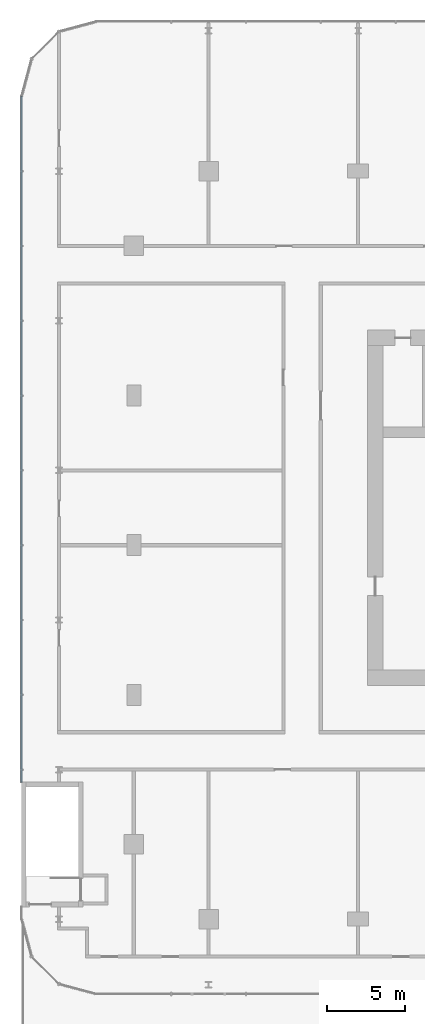
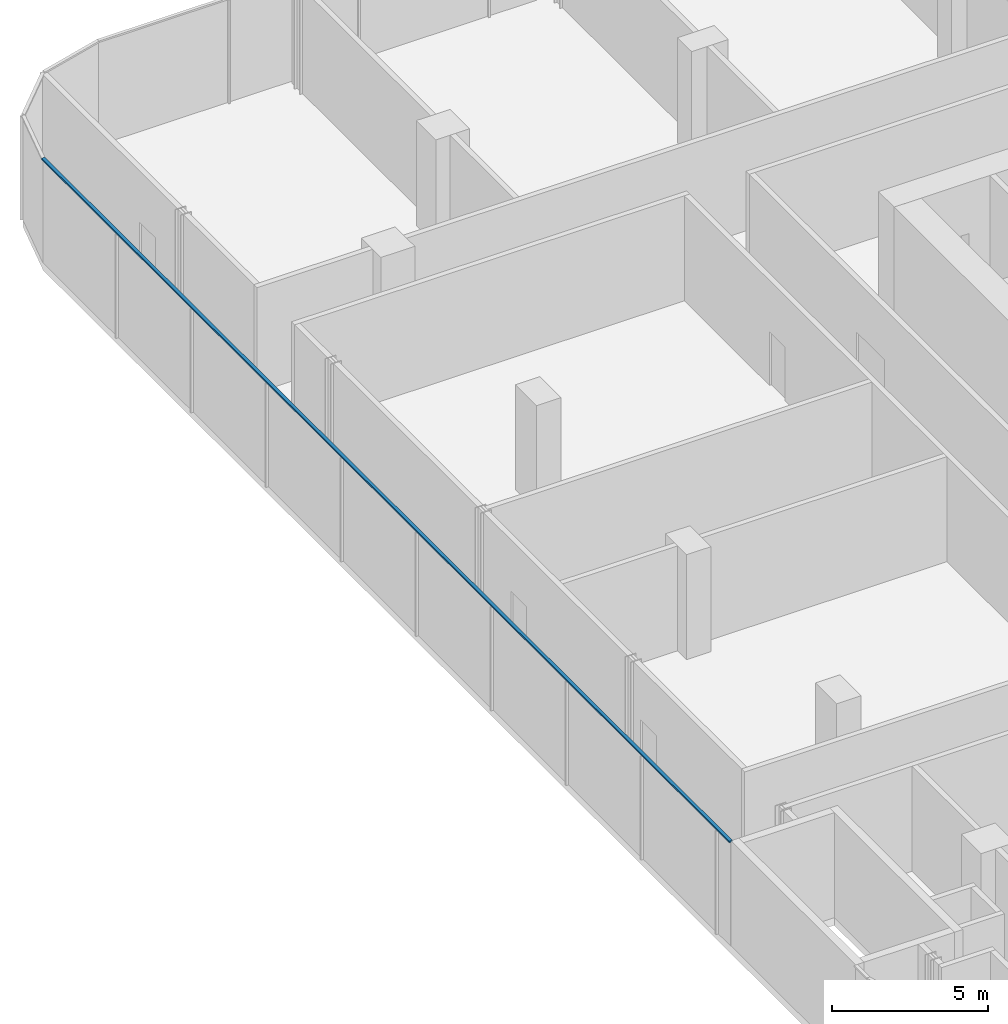
# One storey, part 10 of 32: 1 member, 1 element without a shape of its own.
"""IFC4 building model written with IfcOpenShell, lengths in metres."""

import ifcopenshell
import ifcopenshell.guid

model = None  # the IFC model being written
_history = None  # IfcOwnerHistory: only IFC2X3 demands one
_inside = {}  # id of a spatial element -> (the spatial element, [elements in it])
_under = {}  # id of a project, library or spatial element -> (it, [spatial elements below it])
_declared = {}  # id of a project -> (the project, [libraries it declares])
_typed = {}  # id of a type object -> (the type object, [elements of that type])
_made_of = {}  # id of a material, layer set ... -> (it, [elements and type objects made of it])


def new_model(schema):
    """Start an empty IFC model of exactly this schema.

    Asked for "IFC4X3", IfcOpenShell would pick the latest addendum, in which some entities
    have other attributes; the version numbers below select the first issue.
    IFC2X3 requires an IfcOwnerHistory on every rooted entity: one is made here for all.
    """
    global model, _history
    if schema == "IFC4X3":
        model = ifcopenshell.file(schema_version=(4, 3, 0, 0))
    else:
        model = ifcopenshell.file(schema=schema)
    _inside.clear()
    _under.clear()
    _declared.clear()
    _typed.clear()
    _made_of.clear()
    _history = None
    if model.schema == "IFC2X3":
        org = make("IfcOrganization", Name="unknown")
        user = make(
            "IfcPersonAndOrganization",
            ThePerson=make("IfcPerson", FamilyName="unknown"),
            TheOrganization=org,
        )
        app = make(
            "IfcApplication",
            ApplicationDeveloper=org,
            Version="unknown",
            ApplicationFullName="unknown",
            ApplicationIdentifier="unknown",
        )
        _history = make(
            "IfcOwnerHistory",
            OwningUser=user,
            OwningApplication=app,
            ChangeAction="ADDED",
            CreationDate=0,
        )
    return model


def make(cls, **values):
    """One entity of the class cls with the attributes given. An attribute that is None is left unset."""
    return model.create_entity(
        cls, **{name: value for name, value in values.items() if value is not None}
    )


def rooted(cls, **values):
    """An entity with a GlobalId (a new one), such as an element, a storey or a relation."""
    return make(cls, GlobalId=ifcopenshell.guid.new(), OwnerHistory=_history, **values)


def si_unit(unit_type, name, prefix=None):
    """IfcSIUnit, for example si_unit("LENGTHUNIT", "METRE", prefix="MILLI")."""
    return make("IfcSIUnit", UnitType=unit_type, Prefix=prefix, Name=name)


def assignment(units):
    """IfcUnitAssignment: the units of a project."""
    return None if units is None else make("IfcUnitAssignment", Units=units)


def point(xyz):
    """IfcCartesianPoint."""
    return None if xyz is None else make("IfcCartesianPoint", Coordinates=xyz)


def direction(xyz):
    """IfcDirection."""
    return None if xyz is None else make("IfcDirection", DirectionRatios=xyz)


def frame(location, z_axis=None, x_axis=None):
    """IfcAxis2Placement3D, a coordinate frame: its origin and axes. An axis left out is left unset."""
    return make(
        "IfcAxis2Placement3D",
        Location=point(location),
        Axis=direction(z_axis),
        RefDirection=direction(x_axis),
    )


def frame_2d(location, x_axis=None):
    """IfcAxis2Placement2D, a coordinate frame in the plane: its origin and x axis."""
    return make(
        "IfcAxis2Placement2D", Location=point(location), RefDirection=direction(x_axis)
    )


def origin():
    """The frame at (0, 0, 0) with its axes left unset."""
    return frame((0.0, 0.0, 0.0))


def origin_2d():
    """The frame at (0, 0) in the plane with its x axis left unset."""
    return frame_2d((0.0, 0.0))


def place(relative_to, where):
    """IfcLocalPlacement: puts the frame where relative to a parent placement (None: the world)."""
    return make(
        "IfcLocalPlacement", PlacementRelTo=relative_to, RelativePlacement=where
    )


def context(
    kind, dimensions, precision=None, world=None, true_north=None, identifier=None
):
    """IfcGeometricRepresentationContext, for example the 3D "Model" context."""
    return make(
        "IfcGeometricRepresentationContext",
        ContextIdentifier=identifier,
        ContextType=kind,
        CoordinateSpaceDimension=dimensions,
        Precision=precision,
        WorldCoordinateSystem=world,
        TrueNorth=true_north,
    )


def subcontext(parent, identifier, kind, view, scale=None):
    """IfcGeometricRepresentationSubContext, for example "Body" below "Model"."""
    return make(
        "IfcGeometricRepresentationSubContext",
        ContextIdentifier=identifier,
        ContextType=kind,
        ParentContext=parent,
        TargetScale=scale,
        TargetView=view,
    )


def project(units=None, contexts=None):
    """IfcProject with its units and contexts."""
    return rooted(
        "IfcProject",
        Name="project",
        RepresentationContexts=contexts,
        UnitsInContext=assignment(units),
    )


def spatial(cls, under=None, at=None, **own):
    """A site, building, storey or space (cls), placed at a placement, below another one or the project."""
    s = rooted(cls, ObjectPlacement=at, **own)
    if under is not None:
        _under.setdefault(under.id(), (under, []))[1].append(s)
    return s


def profile(cls, at=None, kind="AREA", **sizes):
    """A parametric profile (cls). Its sizes go by their IFC names, for example OverallWidth=200.0."""
    return make(cls, ProfileType=kind, Position=at, **sizes)


def rectangle(**sizes):
    """IfcRectangleProfileDef."""
    return profile("IfcRectangleProfileDef", **sizes)


def extrude(swept, where, along, depth):
    """IfcExtrudedAreaSolid: the profile swept, set in the frame where, extruded along a direction by depth."""
    return make(
        "IfcExtrudedAreaSolid",
        SweptArea=swept,
        Position=where,
        ExtrudedDirection=direction(along),
        Depth=depth,
    )


def shape(context_of_items, identifier, shape_type, items):
    """IfcShapeRepresentation: the items that make up one representation, for example the "Body"."""
    return make(
        "IfcShapeRepresentation",
        ContextOfItems=context_of_items,
        RepresentationIdentifier=identifier,
        RepresentationType=shape_type,
        Items=items,
    )


def material(Name=None, Category=None):
    """IfcMaterial."""
    return make("IfcMaterial", Name=Name, Category=Category)


def layer(
    of_material, thickness, ventilated=None, Name=None, Category=None, Priority=None
):
    """IfcMaterialLayer: one layer of a wall or slab, of a material (None: an air gap)."""
    return make(
        "IfcMaterialLayer",
        Material=of_material,
        LayerThickness=thickness,
        IsVentilated=ventilated,
        Name=Name,
        Category=Category,
        Priority=Priority,
    )


def layer_set(layers, Name=None):
    """IfcMaterialLayerSet."""
    return make("IfcMaterialLayerSet", MaterialLayers=layers, LayerSetName=Name)


def material_profile(
    of_material, cross_section, Name=None, Category=None, Priority=None
):
    """IfcMaterialProfile: a cross section and its material."""
    return make(
        "IfcMaterialProfile",
        Name=Name,
        Material=of_material,
        Profile=cross_section,
        Priority=Priority,
        Category=Category,
    )


def profile_set(profiles, Name=None, composite=None):
    """IfcMaterialProfileSet."""
    return make(
        "IfcMaterialProfileSet",
        Name=Name,
        MaterialProfiles=profiles,
        CompositeProfile=composite,
    )


def made_of(thing, what):
    """Note that an element or type object is made of a material, layer set ...; save() writes the relation."""
    if what is not None:
        _made_of.setdefault(what.id(), (what, []))[1].append(thing)
    return thing


def type_object(cls, material=None, **own):
    """A type object (cls), such as IfcWallType, which elements share."""
    return made_of(rooted(cls, **own), material)


def element(
    cls,
    number,
    at=None,
    inside=None,
    cuts=None,
    type_object=None,
    material=None,
    context=None,
    identifier="Body",
    shape_type=None,
    held_by="IfcProductDefinitionShape",
    body=None,
    shapes=None,
    **own,
):
    """One element of the class cls, such as IfcWall. Its Tag is "e" and its number.

    at: its placement. inside: the storey or other place that contains it. cuts: it is an
    opening in that element (IfcRelVoidsElement). A single representation is given by context,
    identifier, shape_type and body (its items); several are given by shapes. held_by: the class
    of the entity that holds the representations. save() writes the other relations.
    """
    e = rooted(cls, Tag="e%d" % number, ObjectPlacement=at, **own)
    if body is not None:
        shapes = [shape(context, identifier, shape_type, body)]
    if shapes is not None:
        e.Representation = make(held_by, Representations=shapes)
    if inside is not None:
        _inside.setdefault(inside.id(), (inside, []))[1].append(e)
    if cuts is not None:
        rooted(
            "IfcRelVoidsElement", RelatingBuildingElement=cuts, RelatedOpeningElement=e
        )
    if type_object is not None:
        _typed.setdefault(type_object.id(), (type_object, []))[1].append(e)
    return made_of(e, material)


def aggregate(whole, parts):
    """IfcRelAggregates: a whole, such as a stair, and the parts it consists of."""
    return rooted("IfcRelAggregates", RelatingObject=whole, RelatedObjects=parts)


def save(model, path):
    """Write the relations noted so far, then the file.

    IfcRelAggregates (storeys below a building ...), IfcRelContainedInSpatialStructure (elements
    in a storey), IfcRelDefinesByType, IfcRelAssociatesMaterial and IfcRelDeclares: one each for
    every whole, place, type object, material and project.
    """
    for whole, parts in _under.values():
        aggregate(whole, parts)
    for where, things in _inside.values():
        rooted(
            "IfcRelContainedInSpatialStructure",
            RelatedElements=things,
            RelatingStructure=where,
        )
    for kind, things in _typed.values():
        rooted("IfcRelDefinesByType", RelatedObjects=things, RelatingType=kind)
    for what, things in _made_of.values():
        rooted("IfcRelAssociatesMaterial", RelatedObjects=things, RelatingMaterial=what)
    for by, libraries in _declared.values():
        rooted("IfcRelDeclares", RelatingContext=by, RelatedDefinitions=libraries)
    model.write(path)


model = new_model("IFC4")

# Units and contexts
model_context = context("Model", 3, precision=1e-05, world=origin(), true_north=direction((0.0, 1.0)))
body_context = subcontext(model_context, "Body", "Model", "MODEL_VIEW")
ifc_project = project(units=[si_unit("LENGTHUNIT", "METRE"), si_unit("AREAUNIT", "SQUARE_METRE"), si_unit("VOLUMEUNIT", "CUBIC_METRE"), si_unit("PLANEANGLEUNIT", "RADIAN"), si_unit("MASSUNIT", "GRAM", prefix="KILO")], contexts=[model_context])

# Site, building, storey
site_placement = place(None, origin())
site = spatial("IfcSite", under=ifc_project, at=site_placement, CompositionType="ELEMENT")
building_placement = place(site_placement, origin())
building = spatial("IfcBuilding", under=site, at=building_placement, Name="Madar Terraces", CompositionType="ELEMENT")
storey_placement = place(building_placement, frame((0.0, 0.0, 19.5)))
storey = spatial("IfcBuildingStorey", under=building, at=storey_placement, Name="L04", CompositionType="ELEMENT", Elevation=19.5)

# Curtain wall, member
ifc_material_1 = material(Name="Glass, clear low-iron, with black aluminium frame", Category="aluminium")
ifc_layer = layer(ifc_material_1, 0.199951171875)
ifc_layer_set = layer_set([ifc_layer], Name="Facade curtain wall, shopfront glazing")
curtain_wall_type = type_object("IfcCurtainWallType", Name="Facade curtain wall, shopfront glazing", PredefinedType="NOTDEFINED", material=ifc_layer_set)
curtain_wall_placement = place(storey_placement, origin())
curtain_wall = element("IfcCurtainWall", 1, at=curtain_wall_placement, inside=storey, type_object=curtain_wall_type, Name="Outer skin curtain wall west bay 1", PredefinedType="NOTDEFINED")
ifc_material_2 = material(Name="Aluminium, black anodised", Category="aluminium")
ifc_material_profile = material_profile(ifc_material_2, rectangle(XDim=0.1201171875, YDim=0.06005859375, at=origin_2d()), Name="Facade transom 60x120")
ifc_profile_set = profile_set([ifc_material_profile], Name="Aluminium, black anodised")
member_type = type_object("IfcMemberType", Name="Facade transom 60x120", PredefinedType="USERDEFINED", material=ifc_profile_set)
member_placement = place(storey_placement, frame((-7.199951171875, 52.800048828125, 4.070068359375), z_axis=(0.0, -1.0, 0.0), x_axis=(1.0, 0.0, 0.0)))
member = element("IfcMember", 2, at=member_placement, type_object=member_type, Name="Transom 1", ObjectType="TRANSOM", PredefinedType="USERDEFINED", context=body_context, shape_type="SweptSolid", body=[
    extrude(rectangle(XDim=0.1201171875, YDim=0.06005859375, at=origin_2d()), origin(), (0.0, 0.0, 1.0), 44.0),
])
aggregate(curtain_wall, [member])

save(model, "model.ifc")
